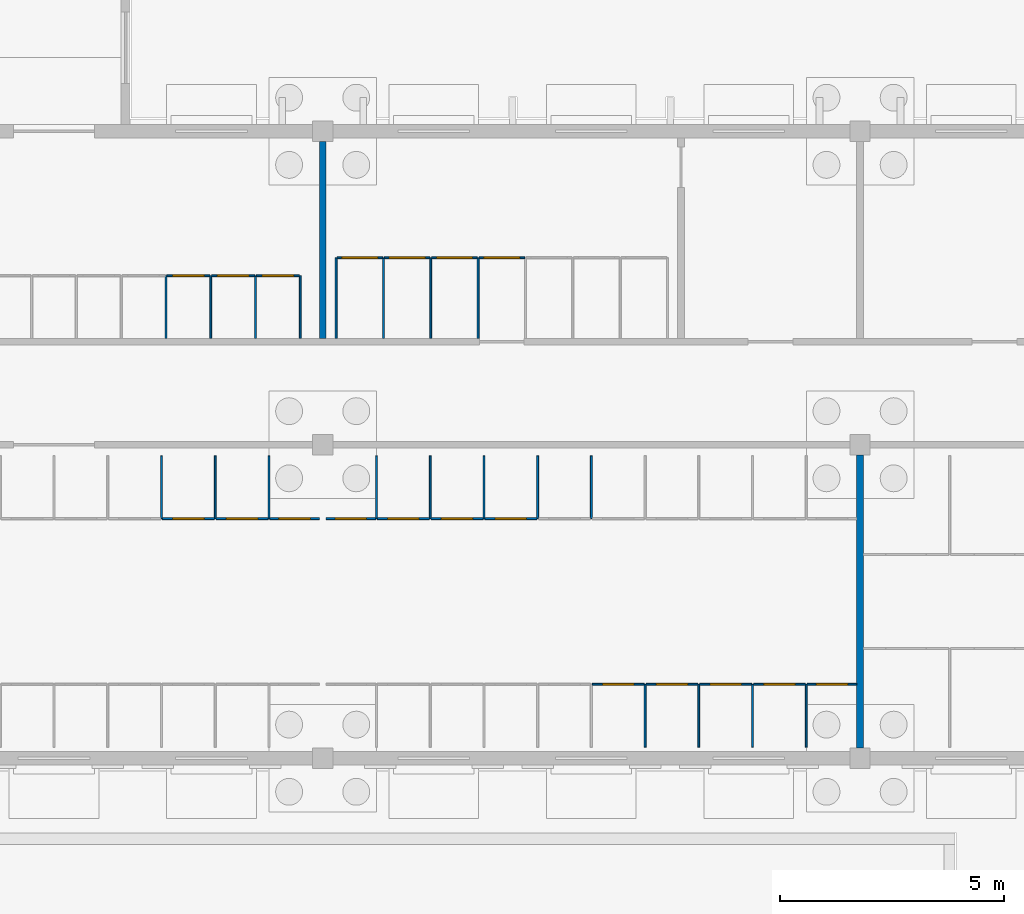
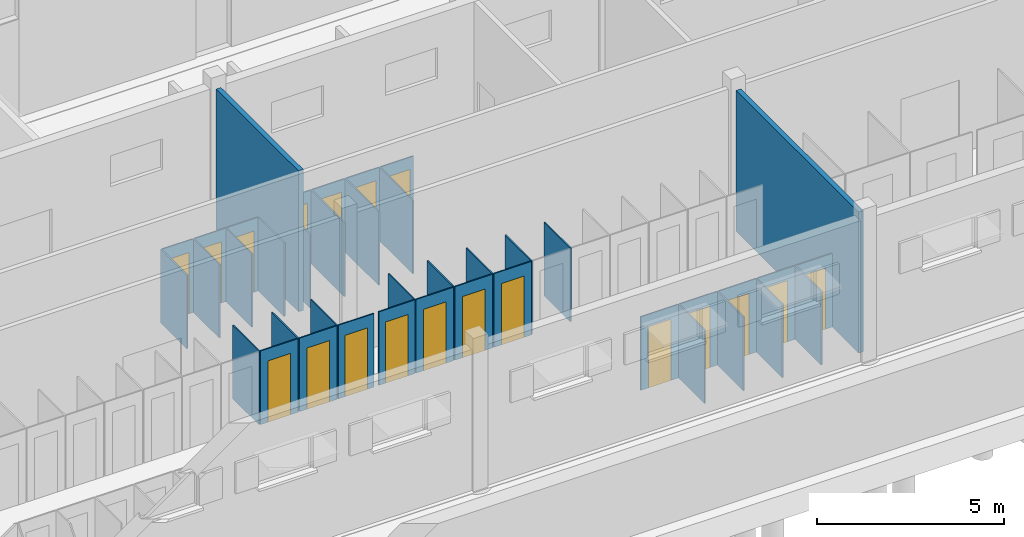
# One storey, part 82 of 157: 41 walls, 19 doors, 19 openings.
"""IFC4 building model written with IfcOpenShell, lengths in metres."""

from ifc_helpers import new_model, si_unit, direction, frame, frame_2d, origin, place, context, subcontext, project, spatial, rectangle, extrude, material, layer, layer_set, type_object, element, fill, save


model = new_model("IFC4")

# Units and contexts
model_context = context("Model", 3, precision=1e-05, world=origin(), true_north=direction((0.0, 1.0)))
body_context = subcontext(model_context, "Body", "Model", "MODEL_VIEW")
ifc_project = project(units=[si_unit("LENGTHUNIT", "METRE"), si_unit("AREAUNIT", "SQUARE_METRE"), si_unit("VOLUMEUNIT", "CUBIC_METRE"), si_unit("PLANEANGLEUNIT", "RADIAN"), si_unit("MASSUNIT", "GRAM", prefix="KILO")], contexts=[model_context])

# Site, building, storey
site_placement = place(None, origin())
site = spatial("IfcSite", under=ifc_project, at=site_placement, CompositionType="ELEMENT")
building_placement = place(site_placement, origin())
building = spatial("IfcBuilding", under=site, at=building_placement, Name="Windward Yard Aquatics Centre", CompositionType="ELEMENT")
storey_placement = place(building_placement, origin())
storey = spatial("IfcBuildingStorey", under=building, at=storey_placement, Name="L00", CompositionType="ELEMENT", Elevation=0.0)

# Walls
ifc_material_1 = material(Name="Concrete masonry unit plastered", Category="masonry")
ifc_layer_1 = layer(ifc_material_1, 0.14990234375)
ifc_layer_set_1 = layer_set([ifc_layer_1], Name="C block partition 150")
wall_type_1 = type_object("IfcWallType", Name="C block partition 150", PredefinedType="PARTITIONING", material=ifc_layer_set_1)
wall_1_placement = place(storey_placement, frame((96.0, 5.22509765625, 0.0), z_axis=(0.0, 0.0, 1.0), x_axis=(0.0, 1.0, 0.0)))
element("IfcWall", 1, at=wall_1_placement, inside=storey, type_object=wall_type_1, Name="C.W.L00.SD.44.1", PredefinedType="PARTITIONING", context=body_context, shape_type="SweptSolid", body=[
    extrude(rectangle(XDim=6.5498046875, YDim=0.14990234375, at=frame_2d((3.27490234375, 0.0))), origin(), (0.0, 0.0, 1.0), 4.60009765625),
])
wall_2_placement = place(storey_placement, frame((84.0, 14.375, 0.0), z_axis=(0.0, 0.0, 1.0), x_axis=(0.0, 1.0, 0.0)))
element("IfcWall", 2, at=wall_2_placement, inside=storey, type_object=wall_type_1, Name="C.W.L00.ND.32.1", PredefinedType="PARTITIONING", context=body_context, shape_type="SweptSolid", body=[
    extrude(rectangle(XDim=4.39990234375, YDim=0.14990234375, at=frame_2d((2.199951171875, 0.0))), origin(), (0.0, 0.0, 1.0), 4.60009765625),
])
ifc_material_2 = material(Name="High-pressure laminate panel on stainless frame")
ifc_layer_2 = layer(ifc_material_2, 0.0400390625)
ifc_layer_set_2 = layer_set([ifc_layer_2], Name="C cubicle panel 40")
wall_type_2 = type_object("IfcWallType", Name="C cubicle panel 40", PredefinedType="PARTITIONING", material=ifc_layer_set_2)
for number, where, z_axis, x_axis, name in (
    (3, (91.199951171875, 5.25, 0.0), (0.0, 0.0, 1.0), (0.0, 1.0, 0.0), "C.W.L00.A.P26"),
    (4, (92.39990234375, 5.25, 0.0), (0.0, 0.0, 1.0), (0.0, 1.0, 0.0), "C.W.L00.A.P27"),
    (5, (93.60009765625, 5.25, 0.0), (0.0, 0.0, 1.0), (0.0, 1.0, 0.0), "C.W.L00.A.P28"),
    (6, (94.800048828125, 5.25, 0.0), (0.0, 0.0, 1.0), (0.0, 1.0, 0.0), "C.W.L00.A.P29"),
):
    element("IfcWall", number, at=place(storey_placement, frame(where, z_axis=z_axis, x_axis=x_axis)), inside=storey, type_object=wall_type_2, Name=name, PredefinedType="PARTITIONING", context=body_context, shape_type="SweptSolid", body=[
        extrude(rectangle(XDim=1.39990234375, YDim=0.0400390625, at=frame_2d((0.699951171875, 0.0))), origin(), (0.0, 0.0, 1.0), 2.39990234375),
    ])

# Wall, opening, door
wall_3_placement = place(storey_placement, frame((90.02001953125, 6.64990234375, 0.0), z_axis=(0.0, 0.0, 1.0), x_axis=(1.0, 0.0, 0.0)))
wall_3 = element("IfcWall", 7, at=wall_3_placement, inside=storey, type_object=wall_type_2, Name="C.W.L00.A.F25", PredefinedType="PARTITIONING", context=body_context, shape_type="SweptSolid", body=[
    extrude(rectangle(XDim=1.159912109375, YDim=0.0400390625, at=frame_2d((0.580078125, 0.0))), origin(), (0.0, 0.0, 1.0), 2.39990234375),
])
opening_1_placement = place(wall_3_placement, frame((0.22998046875, 0.0, 0.0)))
opening_1 = element("IfcOpeningElement", 8, at=opening_1_placement, cuts=wall_3, Name="Opening C0053", PredefinedType="OPENING", context=body_context, shape_type="SweptSolid", body=[
    extrude(rectangle(XDim=0.699951171875, YDim=2.0, at=frame_2d((0.35009765625, 1.0))), frame((0.0, 0.030029296875, 0.0), z_axis=(0.0, -1.0, 0.0), x_axis=(1.0, 0.0, 0.0)), (0.0, 0.0, 1.0), 0.06005859375),
])
ifc_material_3 = material(Name="High-pressure laminate door leaf")
door_type_1 = type_object("IfcDoorType", Name="C door 700X2000 NOT RATED", OperationType="SINGLE_SWING_LEFT", PredefinedType="DOOR", material=ifc_material_3)
door_1_placement = place(opening_1_placement, origin())
door_1 = element("IfcDoor", 9, at=door_1_placement, inside=storey, type_object=door_type_1, Name="Cubicle door A26", OperationType="SINGLE_SWING_LEFT", OverallHeight=2.0, OverallWidth=0.699951171875, PredefinedType="DOOR", context=body_context, shape_type="SweptSolid", body=[
    extrude(rectangle(XDim=0.699951171875, YDim=2.0, at=frame_2d((0.35009765625, 1.0))), frame((0.0, 0.019775390625, 0.0), z_axis=(0.0, -1.0, 0.0), x_axis=(1.0, 0.0, 0.0)), (0.0, 0.0, 1.0), 0.03955078125),
])
fill(opening_1, door_1)

wall_4_placement = place(storey_placement, frame((91.219970703125, 6.64990234375, 0.0), z_axis=(0.0, 0.0, 1.0), x_axis=(1.0, 0.0, 0.0)))
wall_4 = element("IfcWall", 10, at=wall_4_placement, inside=storey, type_object=wall_type_2, Name="C.W.L00.A.F26", PredefinedType="PARTITIONING", context=body_context, shape_type="SweptSolid", body=[
    extrude(rectangle(XDim=1.159912109375, YDim=0.0400390625, at=frame_2d((0.580078125, 0.0))), origin(), (0.0, 0.0, 1.0), 2.39990234375),
])
opening_2_placement = place(wall_4_placement, frame((0.22998046875, 0.0, 0.0)))
opening_2 = element("IfcOpeningElement", 11, at=opening_2_placement, cuts=wall_4, Name="Opening C0054", PredefinedType="OPENING", context=body_context, shape_type="SweptSolid", body=[
    extrude(rectangle(XDim=0.699951171875, YDim=2.0, at=frame_2d((0.35009765625, 1.0))), frame((0.0, 0.030029296875, 0.0), z_axis=(0.0, -1.0, 0.0), x_axis=(1.0, 0.0, 0.0)), (0.0, 0.0, 1.0), 0.06005859375),
])
door_2_placement = place(opening_2_placement, origin())
door_2 = element("IfcDoor", 12, at=door_2_placement, inside=storey, type_object=door_type_1, Name="Cubicle door A27", OperationType="SINGLE_SWING_LEFT", OverallHeight=2.0, OverallWidth=0.699951171875, PredefinedType="DOOR", context=body_context, shape_type="SweptSolid", body=[
    extrude(rectangle(XDim=0.699951171875, YDim=2.0, at=frame_2d((0.35009765625, 1.0))), frame((0.0, 0.019775390625, 0.0), z_axis=(0.0, -1.0, 0.0), x_axis=(1.0, 0.0, 0.0)), (0.0, 0.0, 1.0), 0.03955078125),
])
fill(opening_2, door_2)

wall_5_placement = place(storey_placement, frame((92.419921875, 6.64990234375, 0.0), z_axis=(0.0, 0.0, 1.0), x_axis=(1.0, 0.0, 0.0)))
wall_5 = element("IfcWall", 13, at=wall_5_placement, inside=storey, type_object=wall_type_2, Name="C.W.L00.A.F27", PredefinedType="PARTITIONING", context=body_context, shape_type="SweptSolid", body=[
    extrude(rectangle(XDim=1.16015625, YDim=0.0400390625, at=frame_2d((0.580078125, 0.0))), origin(), (0.0, 0.0, 1.0), 2.39990234375),
])
opening_3_placement = place(wall_5_placement, frame((0.22998046875, 0.0, 0.0)))
opening_3 = element("IfcOpeningElement", 14, at=opening_3_placement, cuts=wall_5, Name="Opening C0055", PredefinedType="OPENING", context=body_context, shape_type="SweptSolid", body=[
    extrude(rectangle(XDim=0.699951171875, YDim=2.0, at=frame_2d((0.35009765625, 1.0))), frame((0.0, 0.030029296875, 0.0), z_axis=(0.0, -1.0, 0.0), x_axis=(1.0, 0.0, 0.0)), (0.0, 0.0, 1.0), 0.06005859375),
])
door_3_placement = place(opening_3_placement, origin())
door_3 = element("IfcDoor", 15, at=door_3_placement, inside=storey, type_object=door_type_1, Name="Cubicle door A28", OperationType="SINGLE_SWING_LEFT", OverallHeight=2.0, OverallWidth=0.699951171875, PredefinedType="DOOR", context=body_context, shape_type="SweptSolid", body=[
    extrude(rectangle(XDim=0.699951171875, YDim=2.0, at=frame_2d((0.35009765625, 1.0))), frame((0.0, 0.019775390625, 0.0), z_axis=(0.0, -1.0, 0.0), x_axis=(1.0, 0.0, 0.0)), (0.0, 0.0, 1.0), 0.03955078125),
])
fill(opening_3, door_3)

wall_6_placement = place(storey_placement, frame((93.6201171875, 6.64990234375, 0.0), z_axis=(0.0, 0.0, 1.0), x_axis=(1.0, 0.0, 0.0)))
wall_6 = element("IfcWall", 16, at=wall_6_placement, inside=storey, type_object=wall_type_2, Name="C.W.L00.A.F28", PredefinedType="PARTITIONING", context=body_context, shape_type="SweptSolid", body=[
    extrude(rectangle(XDim=1.159912109375, YDim=0.0400390625, at=frame_2d((0.580078125, 0.0))), origin(), (0.0, 0.0, 1.0), 2.39990234375),
])
opening_4_placement = place(wall_6_placement, frame((0.22998046875, 0.0, 0.0)))
opening_4 = element("IfcOpeningElement", 17, at=opening_4_placement, cuts=wall_6, Name="Opening C0056", PredefinedType="OPENING", context=body_context, shape_type="SweptSolid", body=[
    extrude(rectangle(XDim=0.699951171875, YDim=2.0, at=frame_2d((0.35009765625, 1.0))), frame((0.0, 0.030029296875, 0.0), z_axis=(0.0, -1.0, 0.0), x_axis=(1.0, 0.0, 0.0)), (0.0, 0.0, 1.0), 0.06005859375),
])
door_4_placement = place(opening_4_placement, origin())
door_4 = element("IfcDoor", 18, at=door_4_placement, inside=storey, type_object=door_type_1, Name="Cubicle door A29", OperationType="SINGLE_SWING_LEFT", OverallHeight=2.0, OverallWidth=0.699951171875, PredefinedType="DOOR", context=body_context, shape_type="SweptSolid", body=[
    extrude(rectangle(XDim=0.699951171875, YDim=2.0, at=frame_2d((0.35009765625, 1.0))), frame((0.0, 0.019775390625, 0.0), z_axis=(0.0, -1.0, 0.0), x_axis=(1.0, 0.0, 0.0)), (0.0, 0.0, 1.0), 0.03955078125),
])
fill(opening_4, door_4)

wall_7_placement = place(storey_placement, frame((94.820068359375, 6.64990234375, 0.0), z_axis=(0.0, 0.0, 1.0), x_axis=(1.0, 0.0, 0.0)))
wall_7 = element("IfcWall", 19, at=wall_7_placement, inside=storey, type_object=wall_type_2, Name="C.W.L00.A.F29", PredefinedType="PARTITIONING", context=body_context, shape_type="SweptSolid", body=[
    extrude(rectangle(XDim=1.10498046875, YDim=0.0400390625, at=frame_2d((0.552490234375, 0.0))), origin(), (0.0, 0.0, 1.0), 2.39990234375),
])
opening_5_placement = place(wall_7_placement, frame((0.202392578125, 0.0, 0.0)))
opening_5 = element("IfcOpeningElement", 20, at=opening_5_placement, cuts=wall_7, Name="Opening C0057", PredefinedType="OPENING", context=body_context, shape_type="SweptSolid", body=[
    extrude(rectangle(XDim=0.699951171875, YDim=2.0, at=frame_2d((0.35009765625, 1.0))), frame((0.0, 0.030029296875, 0.0), z_axis=(0.0, -1.0, 0.0), x_axis=(1.0, 0.0, 0.0)), (0.0, 0.0, 1.0), 0.06005859375),
])
door_5_placement = place(opening_5_placement, origin())
door_5 = element("IfcDoor", 21, at=door_5_placement, inside=storey, type_object=door_type_1, Name="Cubicle door A30", OperationType="SINGLE_SWING_LEFT", OverallHeight=2.0, OverallWidth=0.699951171875, PredefinedType="DOOR", context=body_context, shape_type="SweptSolid", body=[
    extrude(rectangle(XDim=0.699951171875, YDim=2.0, at=frame_2d((0.35009765625, 1.0))), frame((0.0, 0.019775390625, 0.0), z_axis=(0.0, -1.0, 0.0), x_axis=(1.0, 0.0, 0.0)), (0.0, 0.0, 1.0), 0.03955078125),
])
fill(opening_5, door_5)

# Walls
for number, where, z_axis, x_axis, name in (
    (22, (80.39990234375, 11.75, 0.0), (0.0, 0.0, 1.0), (0.0, -1.0, 0.0), "C.W.L00.B.P17"),
    (23, (81.60009765625, 11.75, 0.0), (0.0, 0.0, 1.0), (0.0, -1.0, 0.0), "C.W.L00.B.P18"),
    (24, (82.800048828125, 11.75, 0.0), (0.0, 0.0, 1.0), (0.0, -1.0, 0.0), "C.W.L00.B.P19"),
    (25, (85.199951171875, 11.75, 0.0), (0.0, 0.0, 1.0), (0.0, -1.0, 0.0), "C.W.L00.B.P21"),
    (26, (86.39990234375, 11.75, 0.0), (0.0, 0.0, 1.0), (0.0, -1.0, 0.0), "C.W.L00.B.P22"),
    (27, (87.60009765625, 11.75, 0.0), (0.0, 0.0, 1.0), (0.0, -1.0, 0.0), "C.W.L00.B.P23"),
    (28, (88.800048828125, 11.75, 0.0), (0.0, 0.0, 1.0), (0.0, -1.0, 0.0), "C.W.L00.B.P24"),
    (29, (90.0, 11.75, 0.0), (0.0, 0.0, 1.0), (0.0, -1.0, 0.0), "C.W.L00.B.P25"),
):
    element("IfcWall", number, at=place(storey_placement, frame(where, z_axis=z_axis, x_axis=x_axis)), inside=storey, type_object=wall_type_2, Name=name, PredefinedType="PARTITIONING", context=body_context, shape_type="SweptSolid", body=[
        extrude(rectangle(XDim=1.39990234375, YDim=0.0400390625, at=frame_2d((0.699951171875, 0.0))), origin(), (0.0, 0.0, 1.0), 2.39990234375),
    ])

# Wall, opening, door
wall_8_placement = place(storey_placement, frame((80.419921875, 10.35009765625, 0.0), z_axis=(0.0, 0.0, 1.0), x_axis=(1.0, 0.0, 0.0)))
wall_8 = element("IfcWall", 30, at=wall_8_placement, inside=storey, type_object=wall_type_2, Name="C.W.L00.B.F17", PredefinedType="PARTITIONING", context=body_context, shape_type="SweptSolid", body=[
    extrude(rectangle(XDim=1.16015625, YDim=0.0400390625, at=frame_2d((0.580078125, 0.0))), origin(), (0.0, 0.0, 1.0), 2.39990234375),
])
opening_6_placement = place(wall_8_placement, frame((0.22998046875, 0.0, 0.0)))
opening_6 = element("IfcOpeningElement", 31, at=opening_6_placement, cuts=wall_8, Name="Opening C0075", PredefinedType="OPENING", context=body_context, shape_type="SweptSolid", body=[
    extrude(rectangle(XDim=0.699951171875, YDim=2.0, at=frame_2d((0.35009765625, 1.0))), frame((0.0, 0.030029296875, 0.0), z_axis=(0.0, -1.0, 0.0), x_axis=(1.0, 0.0, 0.0)), (0.0, 0.0, 1.0), 0.06005859375),
])
door_6_placement = place(opening_6_placement, origin())
door_6 = element("IfcDoor", 32, at=door_6_placement, inside=storey, type_object=door_type_1, Name="Cubicle door B18", OperationType="SINGLE_SWING_LEFT", OverallHeight=2.0, OverallWidth=0.699951171875, PredefinedType="DOOR", context=body_context, shape_type="SweptSolid", body=[
    extrude(rectangle(XDim=0.699951171875, YDim=2.0, at=frame_2d((0.35009765625, 1.0))), frame((0.0, 0.019775390625, 0.0), z_axis=(0.0, -1.0, 0.0), x_axis=(1.0, 0.0, 0.0)), (0.0, 0.0, 1.0), 0.03955078125),
])
fill(opening_6, door_6)

wall_9_placement = place(storey_placement, frame((81.6201171875, 10.35009765625, 0.0), z_axis=(0.0, 0.0, 1.0), x_axis=(1.0, 0.0, 0.0)))
wall_9 = element("IfcWall", 33, at=wall_9_placement, inside=storey, type_object=wall_type_2, Name="C.W.L00.B.F18", PredefinedType="PARTITIONING", context=body_context, shape_type="SweptSolid", body=[
    extrude(rectangle(XDim=1.159912109375, YDim=0.0400390625, at=frame_2d((0.580078125, 0.0))), origin(), (0.0, 0.0, 1.0), 2.39990234375),
])
opening_7_placement = place(wall_9_placement, frame((0.22998046875, 0.0, 0.0)))
opening_7 = element("IfcOpeningElement", 34, at=opening_7_placement, cuts=wall_9, Name="Opening C0076", PredefinedType="OPENING", context=body_context, shape_type="SweptSolid", body=[
    extrude(rectangle(XDim=0.699951171875, YDim=2.0, at=frame_2d((0.35009765625, 1.0))), frame((0.0, 0.030029296875, 0.0), z_axis=(0.0, -1.0, 0.0), x_axis=(1.0, 0.0, 0.0)), (0.0, 0.0, 1.0), 0.06005859375),
])
door_7_placement = place(opening_7_placement, origin())
door_7 = element("IfcDoor", 35, at=door_7_placement, inside=storey, type_object=door_type_1, Name="Cubicle door B19", OperationType="SINGLE_SWING_LEFT", OverallHeight=2.0, OverallWidth=0.699951171875, PredefinedType="DOOR", context=body_context, shape_type="SweptSolid", body=[
    extrude(rectangle(XDim=0.699951171875, YDim=2.0, at=frame_2d((0.35009765625, 1.0))), frame((0.0, 0.019775390625, 0.0), z_axis=(0.0, -1.0, 0.0), x_axis=(1.0, 0.0, 0.0)), (0.0, 0.0, 1.0), 0.03955078125),
])
fill(opening_7, door_7)

wall_10_placement = place(storey_placement, frame((82.820068359375, 10.35009765625, 0.0), z_axis=(0.0, 0.0, 1.0), x_axis=(1.0, 0.0, 0.0)))
wall_10 = element("IfcWall", 36, at=wall_10_placement, inside=storey, type_object=wall_type_2, Name="C.W.L00.B.F19", PredefinedType="PARTITIONING", context=body_context, shape_type="SweptSolid", body=[
    extrude(rectangle(XDim=1.10498046875, YDim=0.0400390625, at=frame_2d((0.552490234375, 0.0))), origin(), (0.0, 0.0, 1.0), 2.39990234375),
])
opening_8_placement = place(wall_10_placement, frame((0.202392578125, 0.0, 0.0)))
opening_8 = element("IfcOpeningElement", 37, at=opening_8_placement, cuts=wall_10, Name="Opening C0077", PredefinedType="OPENING", context=body_context, shape_type="SweptSolid", body=[
    extrude(rectangle(XDim=0.699951171875, YDim=2.0, at=frame_2d((0.35009765625, 1.0))), frame((0.0, 0.030029296875, 0.0), z_axis=(0.0, -1.0, 0.0), x_axis=(1.0, 0.0, 0.0)), (0.0, 0.0, 1.0), 0.06005859375),
])
door_8_placement = place(opening_8_placement, origin())
door_8 = element("IfcDoor", 38, at=door_8_placement, inside=storey, type_object=door_type_1, Name="Cubicle door B20", OperationType="SINGLE_SWING_LEFT", OverallHeight=2.0, OverallWidth=0.699951171875, PredefinedType="DOOR", context=body_context, shape_type="SweptSolid", body=[
    extrude(rectangle(XDim=0.699951171875, YDim=2.0, at=frame_2d((0.35009765625, 1.0))), frame((0.0, 0.019775390625, 0.0), z_axis=(0.0, -1.0, 0.0), x_axis=(1.0, 0.0, 0.0)), (0.0, 0.0, 1.0), 0.03955078125),
])
fill(opening_8, door_8)

wall_11_placement = place(storey_placement, frame((84.074951171875, 10.35009765625, 0.0), z_axis=(0.0, 0.0, 1.0), x_axis=(1.0, 0.0, 0.0)))
wall_11 = element("IfcWall", 39, at=wall_11_placement, inside=storey, type_object=wall_type_2, Name="C.W.L00.B.F20", PredefinedType="PARTITIONING", context=body_context, shape_type="SweptSolid", body=[
    extrude(rectangle(XDim=1.10498046875, YDim=0.0400390625, at=frame_2d((0.552490234375, 0.0))), origin(), (0.0, 0.0, 1.0), 2.39990234375),
])
opening_9_placement = place(wall_11_placement, frame((0.202392578125, 0.0, 0.0)))
opening_9 = element("IfcOpeningElement", 40, at=opening_9_placement, cuts=wall_11, Name="Opening C0078", PredefinedType="OPENING", context=body_context, shape_type="SweptSolid", body=[
    extrude(rectangle(XDim=0.699951171875, YDim=2.0, at=frame_2d((0.35009765625, 1.0))), frame((0.0, 0.030029296875, 0.0), z_axis=(0.0, -1.0, 0.0), x_axis=(1.0, 0.0, 0.0)), (0.0, 0.0, 1.0), 0.06005859375),
])
door_9_placement = place(opening_9_placement, origin())
door_9 = element("IfcDoor", 41, at=door_9_placement, inside=storey, type_object=door_type_1, Name="Cubicle door B21", OperationType="SINGLE_SWING_LEFT", OverallHeight=2.0, OverallWidth=0.699951171875, PredefinedType="DOOR", context=body_context, shape_type="SweptSolid", body=[
    extrude(rectangle(XDim=0.699951171875, YDim=2.0, at=frame_2d((0.35009765625, 1.0))), frame((0.0, 0.019775390625, 0.0), z_axis=(0.0, -1.0, 0.0), x_axis=(1.0, 0.0, 0.0)), (0.0, 0.0, 1.0), 0.03955078125),
])
fill(opening_9, door_9)

wall_12_placement = place(storey_placement, frame((85.219970703125, 10.35009765625, 0.0), z_axis=(0.0, 0.0, 1.0), x_axis=(1.0, 0.0, 0.0)))
wall_12 = element("IfcWall", 42, at=wall_12_placement, inside=storey, type_object=wall_type_2, Name="C.W.L00.B.F21", PredefinedType="PARTITIONING", context=body_context, shape_type="SweptSolid", body=[
    extrude(rectangle(XDim=1.159912109375, YDim=0.0400390625, at=frame_2d((0.580078125, 0.0))), origin(), (0.0, 0.0, 1.0), 2.39990234375),
])
opening_10_placement = place(wall_12_placement, frame((0.22998046875, 0.0, 0.0)))
opening_10 = element("IfcOpeningElement", 43, at=opening_10_placement, cuts=wall_12, Name="Opening C0079", PredefinedType="OPENING", context=body_context, shape_type="SweptSolid", body=[
    extrude(rectangle(XDim=0.699951171875, YDim=2.0, at=frame_2d((0.35009765625, 1.0))), frame((0.0, 0.030029296875, 0.0), z_axis=(0.0, -1.0, 0.0), x_axis=(1.0, 0.0, 0.0)), (0.0, 0.0, 1.0), 0.06005859375),
])
door_10_placement = place(opening_10_placement, origin())
door_10 = element("IfcDoor", 44, at=door_10_placement, inside=storey, type_object=door_type_1, Name="Cubicle door B22", OperationType="SINGLE_SWING_LEFT", OverallHeight=2.0, OverallWidth=0.699951171875, PredefinedType="DOOR", context=body_context, shape_type="SweptSolid", body=[
    extrude(rectangle(XDim=0.699951171875, YDim=2.0, at=frame_2d((0.35009765625, 1.0))), frame((0.0, 0.019775390625, 0.0), z_axis=(0.0, -1.0, 0.0), x_axis=(1.0, 0.0, 0.0)), (0.0, 0.0, 1.0), 0.03955078125),
])
fill(opening_10, door_10)

wall_13_placement = place(storey_placement, frame((86.419921875, 10.35009765625, 0.0), z_axis=(0.0, 0.0, 1.0), x_axis=(1.0, 0.0, 0.0)))
wall_13 = element("IfcWall", 45, at=wall_13_placement, inside=storey, type_object=wall_type_2, Name="C.W.L00.B.F22", PredefinedType="PARTITIONING", context=body_context, shape_type="SweptSolid", body=[
    extrude(rectangle(XDim=1.16015625, YDim=0.0400390625, at=frame_2d((0.580078125, 0.0))), origin(), (0.0, 0.0, 1.0), 2.39990234375),
])
opening_11_placement = place(wall_13_placement, frame((0.22998046875, 0.0, 0.0)))
opening_11 = element("IfcOpeningElement", 46, at=opening_11_placement, cuts=wall_13, Name="Opening C0080", PredefinedType="OPENING", context=body_context, shape_type="SweptSolid", body=[
    extrude(rectangle(XDim=0.699951171875, YDim=2.0, at=frame_2d((0.35009765625, 1.0))), frame((0.0, 0.030029296875, 0.0), z_axis=(0.0, -1.0, 0.0), x_axis=(1.0, 0.0, 0.0)), (0.0, 0.0, 1.0), 0.06005859375),
])
door_11_placement = place(opening_11_placement, origin())
door_11 = element("IfcDoor", 47, at=door_11_placement, inside=storey, type_object=door_type_1, Name="Cubicle door B23", OperationType="SINGLE_SWING_LEFT", OverallHeight=2.0, OverallWidth=0.699951171875, PredefinedType="DOOR", context=body_context, shape_type="SweptSolid", body=[
    extrude(rectangle(XDim=0.699951171875, YDim=2.0, at=frame_2d((0.35009765625, 1.0))), frame((0.0, 0.019775390625, 0.0), z_axis=(0.0, -1.0, 0.0), x_axis=(1.0, 0.0, 0.0)), (0.0, 0.0, 1.0), 0.03955078125),
])
fill(opening_11, door_11)

wall_14_placement = place(storey_placement, frame((87.6201171875, 10.35009765625, 0.0), z_axis=(0.0, 0.0, 1.0), x_axis=(1.0, 0.0, 0.0)))
wall_14 = element("IfcWall", 48, at=wall_14_placement, inside=storey, type_object=wall_type_2, Name="C.W.L00.B.F23", PredefinedType="PARTITIONING", context=body_context, shape_type="SweptSolid", body=[
    extrude(rectangle(XDim=1.159912109375, YDim=0.0400390625, at=frame_2d((0.580078125, 0.0))), origin(), (0.0, 0.0, 1.0), 2.39990234375),
])
opening_12_placement = place(wall_14_placement, frame((0.22998046875, 0.0, 0.0)))
opening_12 = element("IfcOpeningElement", 49, at=opening_12_placement, cuts=wall_14, Name="Opening C0081", PredefinedType="OPENING", context=body_context, shape_type="SweptSolid", body=[
    extrude(rectangle(XDim=0.699951171875, YDim=2.0, at=frame_2d((0.35009765625, 1.0))), frame((0.0, 0.030029296875, 0.0), z_axis=(0.0, -1.0, 0.0), x_axis=(1.0, 0.0, 0.0)), (0.0, 0.0, 1.0), 0.06005859375),
])
door_12_placement = place(opening_12_placement, origin())
door_12 = element("IfcDoor", 50, at=door_12_placement, inside=storey, type_object=door_type_1, Name="Cubicle door B24", OperationType="SINGLE_SWING_LEFT", OverallHeight=2.0, OverallWidth=0.699951171875, PredefinedType="DOOR", context=body_context, shape_type="SweptSolid", body=[
    extrude(rectangle(XDim=0.699951171875, YDim=2.0, at=frame_2d((0.35009765625, 1.0))), frame((0.0, 0.019775390625, 0.0), z_axis=(0.0, -1.0, 0.0), x_axis=(1.0, 0.0, 0.0)), (0.0, 0.0, 1.0), 0.03955078125),
])
fill(opening_12, door_12)

# Walls
for number, where, z_axis, x_axis, name in (
    (51, (80.5, 14.375, 0.0), (0.0, 0.0, 1.0), (0.0, 1.0, 0.0), "C.W.L00.E.P20"),
    (52, (81.5, 14.375, 0.0), (0.0, 0.0, 1.0), (0.0, 1.0, 0.0), "C.W.L00.E.P21"),
    (53, (82.5, 14.375, 0.0), (0.0, 0.0, 1.0), (0.0, 1.0, 0.0), "C.W.L00.E.P22"),
    (54, (83.5, 14.375, 0.0), (0.0, 0.0, 1.0), (0.0, 1.0, 0.0), "C.W.L00.E.P23"),
):
    element("IfcWall", number, at=place(storey_placement, frame(where, z_axis=z_axis, x_axis=x_axis)), inside=storey, type_object=wall_type_2, Name=name, PredefinedType="PARTITIONING", context=body_context, shape_type="SweptSolid", body=[
        extrude(rectangle(XDim=1.39990234375, YDim=0.0400390625, at=frame_2d((0.699951171875, 0.0))), origin(), (0.0, 0.0, 1.0), 2.39990234375),
    ])

# Wall, opening, door
wall_15_placement = place(storey_placement, frame((80.52001953125, 15.77490234375, 0.0), z_axis=(0.0, 0.0, 1.0), x_axis=(1.0, 0.0, 0.0)))
wall_15 = element("IfcWall", 55, at=wall_15_placement, inside=storey, type_object=wall_type_2, Name="C.W.L00.E.F20", PredefinedType="PARTITIONING", context=body_context, shape_type="SweptSolid", body=[
    extrude(rectangle(XDim=0.9599609375, YDim=0.0400390625, at=frame_2d((0.47998046875, 0.0))), origin(), (0.0, 0.0, 1.0), 2.39990234375),
])
opening_13_placement = place(wall_15_placement, frame((0.1298828125, 0.0, 0.0)))
opening_13 = element("IfcOpeningElement", 56, at=opening_13_placement, cuts=wall_15, Name="Opening C0120", PredefinedType="OPENING", context=body_context, shape_type="SweptSolid", body=[
    extrude(rectangle(XDim=0.699951171875, YDim=2.0, at=frame_2d((0.35009765625, 1.0))), frame((0.0, 0.030029296875, 0.0), z_axis=(0.0, -1.0, 0.0), x_axis=(1.0, 0.0, 0.0)), (0.0, 0.0, 1.0), 0.06005859375),
])
door_13_placement = place(opening_13_placement, origin())
door_13 = element("IfcDoor", 57, at=door_13_placement, inside=storey, type_object=door_type_1, Name="Cubicle door E21", OperationType="SINGLE_SWING_LEFT", OverallHeight=2.0, OverallWidth=0.699951171875, PredefinedType="DOOR", context=body_context, shape_type="SweptSolid", body=[
    extrude(rectangle(XDim=0.699951171875, YDim=2.0, at=frame_2d((0.35009765625, 1.0))), frame((0.0, 0.019775390625, 0.0), z_axis=(0.0, -1.0, 0.0), x_axis=(1.0, 0.0, 0.0)), (0.0, 0.0, 1.0), 0.03955078125),
])
fill(opening_13, door_13)

wall_16_placement = place(storey_placement, frame((81.52001953125, 15.77490234375, 0.0), z_axis=(0.0, 0.0, 1.0), x_axis=(1.0, 0.0, 0.0)))
wall_16 = element("IfcWall", 58, at=wall_16_placement, inside=storey, type_object=wall_type_2, Name="C.W.L00.E.F21", PredefinedType="PARTITIONING", context=body_context, shape_type="SweptSolid", body=[
    extrude(rectangle(XDim=0.9599609375, YDim=0.0400390625, at=frame_2d((0.47998046875, 0.0))), origin(), (0.0, 0.0, 1.0), 2.39990234375),
])
opening_14_placement = place(wall_16_placement, frame((0.1298828125, 0.0, 0.0)))
opening_14 = element("IfcOpeningElement", 59, at=opening_14_placement, cuts=wall_16, Name="Opening C0121", PredefinedType="OPENING", context=body_context, shape_type="SweptSolid", body=[
    extrude(rectangle(XDim=0.699951171875, YDim=2.0, at=frame_2d((0.35009765625, 1.0))), frame((0.0, 0.030029296875, 0.0), z_axis=(0.0, -1.0, 0.0), x_axis=(1.0, 0.0, 0.0)), (0.0, 0.0, 1.0), 0.06005859375),
])
door_14_placement = place(opening_14_placement, origin())
door_14 = element("IfcDoor", 60, at=door_14_placement, inside=storey, type_object=door_type_1, Name="Cubicle door E22", OperationType="SINGLE_SWING_LEFT", OverallHeight=2.0, OverallWidth=0.699951171875, PredefinedType="DOOR", context=body_context, shape_type="SweptSolid", body=[
    extrude(rectangle(XDim=0.699951171875, YDim=2.0, at=frame_2d((0.35009765625, 1.0))), frame((0.0, 0.019775390625, 0.0), z_axis=(0.0, -1.0, 0.0), x_axis=(1.0, 0.0, 0.0)), (0.0, 0.0, 1.0), 0.03955078125),
])
fill(opening_14, door_14)

wall_17_placement = place(storey_placement, frame((82.52001953125, 15.77490234375, 0.0), z_axis=(0.0, 0.0, 1.0), x_axis=(1.0, 0.0, 0.0)))
wall_17 = element("IfcWall", 61, at=wall_17_placement, inside=storey, type_object=wall_type_2, Name="C.W.L00.E.F22", PredefinedType="PARTITIONING", context=body_context, shape_type="SweptSolid", body=[
    extrude(rectangle(XDim=0.9599609375, YDim=0.0400390625, at=frame_2d((0.47998046875, 0.0))), origin(), (0.0, 0.0, 1.0), 2.39990234375),
])
opening_15_placement = place(wall_17_placement, frame((0.1298828125, 0.0, 0.0)))
opening_15 = element("IfcOpeningElement", 62, at=opening_15_placement, cuts=wall_17, Name="Opening C0122", PredefinedType="OPENING", context=body_context, shape_type="SweptSolid", body=[
    extrude(rectangle(XDim=0.699951171875, YDim=2.0, at=frame_2d((0.35009765625, 1.0))), frame((0.0, 0.030029296875, 0.0), z_axis=(0.0, -1.0, 0.0), x_axis=(1.0, 0.0, 0.0)), (0.0, 0.0, 1.0), 0.06005859375),
])
door_15_placement = place(opening_15_placement, origin())
door_15 = element("IfcDoor", 63, at=door_15_placement, inside=storey, type_object=door_type_1, Name="Cubicle door E23", OperationType="SINGLE_SWING_LEFT", OverallHeight=2.0, OverallWidth=0.699951171875, PredefinedType="DOOR", context=body_context, shape_type="SweptSolid", body=[
    extrude(rectangle(XDim=0.699951171875, YDim=2.0, at=frame_2d((0.35009765625, 1.0))), frame((0.0, 0.019775390625, 0.0), z_axis=(0.0, -1.0, 0.0), x_axis=(1.0, 0.0, 0.0)), (0.0, 0.0, 1.0), 0.03955078125),
])
fill(opening_15, door_15)

# Walls
for number, where, z_axis, x_axis, name in (
    (64, (84.300048828125, 14.375, 0.0), (0.0, 0.0, 1.0), (0.0, 1.0, 0.0), "C.W.L00.F.P0"),
    (65, (85.357177734375, 14.375, 0.0), (0.0, 0.0, 1.0), (0.0, 1.0, 0.0), "C.W.L00.F.P1"),
    (66, (86.414306640625, 14.375, 0.0), (0.0, 0.0, 1.0), (0.0, 1.0, 0.0), "C.W.L00.F.P2"),
    (67, (87.471435546875, 14.375, 0.0), (0.0, 0.0, 1.0), (0.0, 1.0, 0.0), "C.W.L00.F.P3"),
):
    element("IfcWall", number, at=place(storey_placement, frame(where, z_axis=z_axis, x_axis=x_axis)), inside=storey, type_object=wall_type_2, Name=name, PredefinedType="PARTITIONING", context=body_context, shape_type="SweptSolid", body=[
        extrude(rectangle(XDim=1.800048828125, YDim=0.0400390625, at=frame_2d((0.89990234375, 0.0))), origin(), (0.0, 0.0, 1.0), 2.39990234375),
    ])

# Wall, opening, door
wall_18_placement = place(storey_placement, frame((84.320068359375, 16.175048828125, 0.0), z_axis=(0.0, 0.0, 1.0), x_axis=(1.0, 0.0, 0.0)))
wall_18 = element("IfcWall", 68, at=wall_18_placement, inside=storey, type_object=wall_type_2, Name="C.W.L00.F.F0", PredefinedType="PARTITIONING", context=body_context, shape_type="SweptSolid", body=[
    extrude(rectangle(XDim=1.01708984375, YDim=0.0400390625, at=frame_2d((0.508544921875, 0.0))), origin(), (0.0, 0.0, 1.0), 2.39990234375),
])
opening_16_placement = place(wall_18_placement, frame((0.108642578125, 0.0, 0.0)))
opening_16 = element("IfcOpeningElement", 69, at=opening_16_placement, cuts=wall_18, Name="Opening C0123", PredefinedType="OPENING", context=body_context, shape_type="SweptSolid", body=[
    extrude(rectangle(XDim=0.800048828125, YDim=2.0, at=frame_2d((0.39990234375, 1.0))), frame((0.0, 0.030029296875, 0.0), z_axis=(0.0, -1.0, 0.0), x_axis=(1.0, 0.0, 0.0)), (0.0, 0.0, 1.0), 0.06005859375),
])
door_type_2 = type_object("IfcDoorType", Name="C door 800X2000 NOT RATED", OperationType="SINGLE_SWING_LEFT", PredefinedType="DOOR", material=ifc_material_3)
door_16_placement = place(opening_16_placement, origin())
door_16 = element("IfcDoor", 70, at=door_16_placement, inside=storey, type_object=door_type_2, Name="Cubicle door F1", OperationType="SINGLE_SWING_LEFT", OverallHeight=2.0, OverallWidth=0.800048828125, PredefinedType="DOOR", context=body_context, shape_type="SweptSolid", body=[
    extrude(rectangle(XDim=0.800048828125, YDim=2.0, at=frame_2d((0.39990234375, 1.0))), frame((0.0, 0.019775390625, 0.0), z_axis=(0.0, -1.0, 0.0), x_axis=(1.0, 0.0, 0.0)), (0.0, 0.0, 1.0), 0.03955078125),
])
fill(opening_16, door_16)

wall_19_placement = place(storey_placement, frame((85.377197265625, 16.175048828125, 0.0), z_axis=(0.0, 0.0, 1.0), x_axis=(1.0, 0.0, 0.0)))
wall_19 = element("IfcWall", 71, at=wall_19_placement, inside=storey, type_object=wall_type_2, Name="C.W.L00.F.F1", PredefinedType="PARTITIONING", context=body_context, shape_type="SweptSolid", body=[
    extrude(rectangle(XDim=1.01708984375, YDim=0.0400390625, at=frame_2d((0.508544921875, 0.0))), origin(), (0.0, 0.0, 1.0), 2.39990234375),
])
opening_17_placement = place(wall_19_placement, frame((0.108642578125, 0.0, 0.0)))
opening_17 = element("IfcOpeningElement", 72, at=opening_17_placement, cuts=wall_19, Name="Opening C0124", PredefinedType="OPENING", context=body_context, shape_type="SweptSolid", body=[
    extrude(rectangle(XDim=0.800048828125, YDim=2.0, at=frame_2d((0.39990234375, 1.0))), frame((0.0, 0.030029296875, 0.0), z_axis=(0.0, -1.0, 0.0), x_axis=(1.0, 0.0, 0.0)), (0.0, 0.0, 1.0), 0.06005859375),
])
door_17_placement = place(opening_17_placement, origin())
door_17 = element("IfcDoor", 73, at=door_17_placement, inside=storey, type_object=door_type_2, Name="Cubicle door F2", OperationType="SINGLE_SWING_LEFT", OverallHeight=2.0, OverallWidth=0.800048828125, PredefinedType="DOOR", context=body_context, shape_type="SweptSolid", body=[
    extrude(rectangle(XDim=0.800048828125, YDim=2.0, at=frame_2d((0.39990234375, 1.0))), frame((0.0, 0.019775390625, 0.0), z_axis=(0.0, -1.0, 0.0), x_axis=(1.0, 0.0, 0.0)), (0.0, 0.0, 1.0), 0.03955078125),
])
fill(opening_17, door_17)

wall_20_placement = place(storey_placement, frame((86.434326171875, 16.175048828125, 0.0), z_axis=(0.0, 0.0, 1.0), x_axis=(1.0, 0.0, 0.0)))
wall_20 = element("IfcWall", 74, at=wall_20_placement, inside=storey, type_object=wall_type_2, Name="C.W.L00.F.F2", PredefinedType="PARTITIONING", context=body_context, shape_type="SweptSolid", body=[
    extrude(rectangle(XDim=1.01708984375, YDim=0.0400390625, at=frame_2d((0.508544921875, 0.0))), origin(), (0.0, 0.0, 1.0), 2.39990234375),
])
opening_18_placement = place(wall_20_placement, frame((0.108642578125, 0.0, 0.0)))
opening_18 = element("IfcOpeningElement", 75, at=opening_18_placement, cuts=wall_20, Name="Opening C0125", PredefinedType="OPENING", context=body_context, shape_type="SweptSolid", body=[
    extrude(rectangle(XDim=0.800048828125, YDim=2.0, at=frame_2d((0.39990234375, 1.0))), frame((0.0, 0.030029296875, 0.0), z_axis=(0.0, -1.0, 0.0), x_axis=(1.0, 0.0, 0.0)), (0.0, 0.0, 1.0), 0.06005859375),
])
door_18_placement = place(opening_18_placement, origin())
door_18 = element("IfcDoor", 76, at=door_18_placement, inside=storey, type_object=door_type_2, Name="Cubicle door F3", OperationType="SINGLE_SWING_LEFT", OverallHeight=2.0, OverallWidth=0.800048828125, PredefinedType="DOOR", context=body_context, shape_type="SweptSolid", body=[
    extrude(rectangle(XDim=0.800048828125, YDim=2.0, at=frame_2d((0.39990234375, 1.0))), frame((0.0, 0.019775390625, 0.0), z_axis=(0.0, -1.0, 0.0), x_axis=(1.0, 0.0, 0.0)), (0.0, 0.0, 1.0), 0.03955078125),
])
fill(opening_18, door_18)

wall_21_placement = place(storey_placement, frame((87.491455078125, 16.175048828125, 0.0), z_axis=(0.0, 0.0, 1.0), x_axis=(1.0, 0.0, 0.0)))
wall_21 = element("IfcWall", 77, at=wall_21_placement, inside=storey, type_object=wall_type_2, Name="C.W.L00.F.F3", PredefinedType="PARTITIONING", context=body_context, shape_type="SweptSolid", body=[
    extrude(rectangle(XDim=1.01708984375, YDim=0.0400390625, at=frame_2d((0.508544921875, 0.0))), origin(), (0.0, 0.0, 1.0), 2.39990234375),
])
opening_19_placement = place(wall_21_placement, frame((0.108642578125, 0.0, 0.0)))
opening_19 = element("IfcOpeningElement", 78, at=opening_19_placement, cuts=wall_21, Name="Opening C0126", PredefinedType="OPENING", context=body_context, shape_type="SweptSolid", body=[
    extrude(rectangle(XDim=0.800048828125, YDim=2.0, at=frame_2d((0.39990234375, 1.0))), frame((0.0, 0.030029296875, 0.0), z_axis=(0.0, -1.0, 0.0), x_axis=(1.0, 0.0, 0.0)), (0.0, 0.0, 1.0), 0.06005859375),
])
door_19_placement = place(opening_19_placement, origin())
door_19 = element("IfcDoor", 79, at=door_19_placement, inside=storey, type_object=door_type_2, Name="Cubicle door F4", OperationType="SINGLE_SWING_LEFT", OverallHeight=2.0, OverallWidth=0.800048828125, PredefinedType="DOOR", context=body_context, shape_type="SweptSolid", body=[
    extrude(rectangle(XDim=0.800048828125, YDim=2.0, at=frame_2d((0.39990234375, 1.0))), frame((0.0, 0.019775390625, 0.0), z_axis=(0.0, -1.0, 0.0), x_axis=(1.0, 0.0, 0.0)), (0.0, 0.0, 1.0), 0.03955078125),
])
fill(opening_19, door_19)

save(model, "model.ifc")
